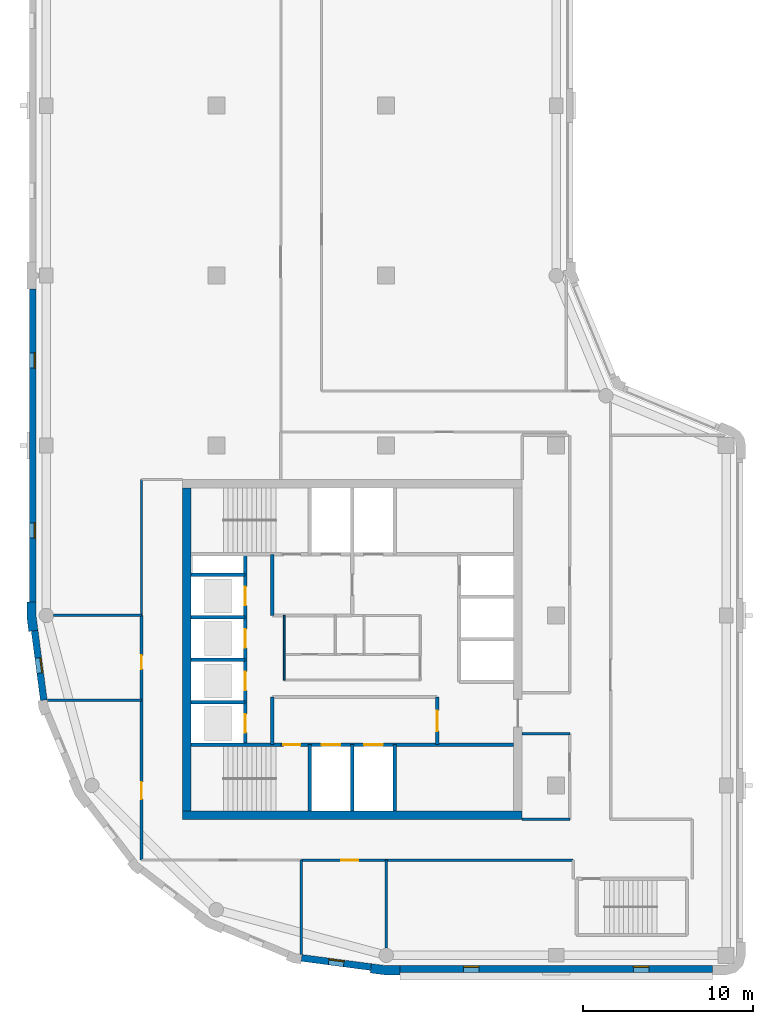
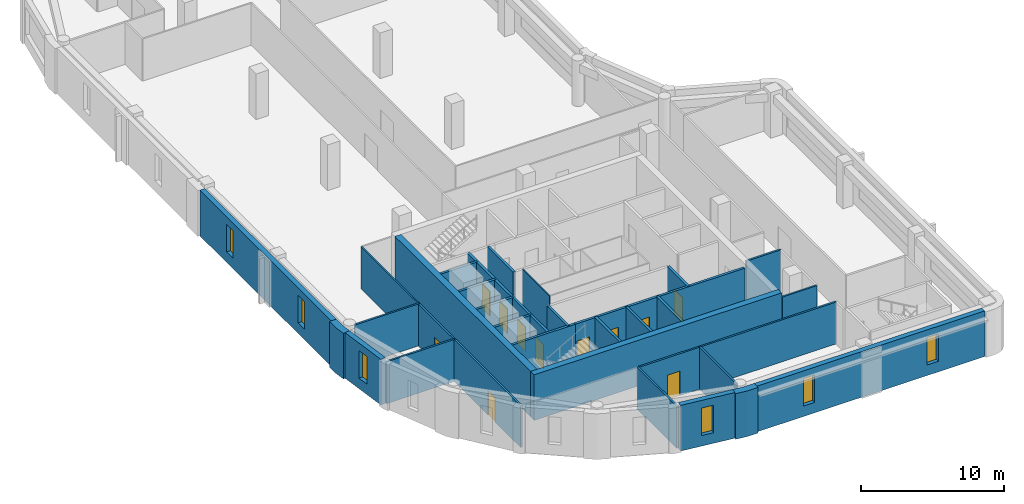
# One storey, part 2 of 8: 31 walls, 11 doors, 6 windows, 17 openings.
"""IFC4 building model written with IfcOpenShell, lengths in metres."""

from ifc_helpers import new_model, si_unit, direction, frame, frame_2d, origin, place, context, subcontext, project, spatial, polyline, rectangle, outline, extrude, material, layer, layer_set, type_object, element, fill, save


model = new_model("IFC4")

# Units and contexts
model_context = context("Model", 3, precision=1e-05, world=origin(), true_north=direction((0.0, 1.0)))
body_context = subcontext(model_context, "Body", "Model", "MODEL_VIEW")
ifc_project = project(units=[si_unit("LENGTHUNIT", "METRE"), si_unit("AREAUNIT", "SQUARE_METRE"), si_unit("VOLUMEUNIT", "CUBIC_METRE"), si_unit("PLANEANGLEUNIT", "RADIAN"), si_unit("MASSUNIT", "GRAM", prefix="KILO")], contexts=[model_context])

# Site, building, storey
site_placement = place(None, origin())
site = spatial("IfcSite", under=ifc_project, at=site_placement, CompositionType="ELEMENT")
building_placement = place(site_placement, origin())
building = spatial("IfcBuilding", under=site, at=building_placement, Name="Qaws Garden Tower", CompositionType="ELEMENT")
storey_placement = place(building_placement, frame((0.0, 0.0, 286.5)))
storey = spatial("IfcBuildingStorey", under=building, at=storey_placement, Name="L69", CompositionType="ELEMENT", Elevation=286.5)

# Wall, openings, windows
ifc_material_1 = material(Name="Clay facing brick masonry", Category="masonry")
ifc_layer_1 = layer(ifc_material_1, 0.39990234375)
ifc_layer_set_1 = layer_set([ifc_layer_1], Name="Clay facing brick masonry")
wall_type_1 = type_object("IfcWallType", Name="Brick infill wall 400", PredefinedType="SOLIDWALL", material=ifc_layer_set_1)
wall_1_placement = place(storey_placement, frame((20.800048828125, -0.800048828125, 0.0), z_axis=(0.0, 0.0, 1.0), x_axis=(1.0, 0.0, 0.0)))
wall_1 = element("IfcWall", 1, at=wall_1_placement, inside=storey, type_object=wall_type_1, Name="E-L69-infill-00", PredefinedType="SOLIDWALL", context=body_context, shape_type="SweptSolid", body=[
    extrude(rectangle(XDim=18.39990234375, YDim=0.39990234375, at=frame_2d((9.199951171875, 0.0))), origin(), (0.0, 0.0, 1.0), 3.89990234375),
])
opening_1_placement = place(wall_1_placement, frame((3.75, 0.0, 0.89990234375)))
opening_1 = element("IfcOpeningElement", 2, at=opening_1_placement, cuts=wall_1, Name="Opening W09", PredefinedType="OPENING", context=body_context, shape_type="SweptSolid", body=[
    extrude(rectangle(XDim=0.89990234375, YDim=2.35009765625, at=frame_2d((0.449951171875, 1.175048828125))), frame((0.0, 0.2099609375, 0.0), z_axis=(0.0, -1.0, 0.0), x_axis=(1.0, 0.0, 0.0)), (0.0, 0.0, 1.0), 0.419921875),
])
opening_2_placement = place(wall_1_placement, frame((13.75, 0.0, 0.89990234375)))
opening_2 = element("IfcOpeningElement", 3, at=opening_2_placement, cuts=wall_1, Name="Opening W09", PredefinedType="OPENING", context=body_context, shape_type="SweptSolid", body=[
    extrude(rectangle(XDim=0.89990234375, YDim=2.35009765625, at=frame_2d((0.449951171875, 1.175048828125))), frame((0.0, 0.2099609375, 0.0), z_axis=(0.0, -1.0, 0.0), x_axis=(1.0, 0.0, 0.0)), (0.0, 0.0, 1.0), 0.419921875),
])
ifc_material_2 = material(Name="Aluminium framed window, clear glazing", Category="aluminium")
window_type = type_object("IfcWindowType", Name="Slit window 900 x 2350", PartitioningType="SINGLE_PANEL", PredefinedType="WINDOW", material=ifc_material_2)
window_1_placement = place(opening_1_placement, origin())
window_1 = element("IfcWindow", 4, at=window_1_placement, inside=storey, type_object=window_type, Name="E-L69-window-00-0", OverallHeight=2.35009765625, OverallWidth=0.89990234375, PartitioningType="SINGLE_PANEL", PredefinedType="WINDOW", context=body_context, shape_type="SweptSolid", body=[
    extrude(rectangle(XDim=0.89990234375, YDim=2.35009765625, at=frame_2d((0.449951171875, 1.175048828125))), frame((0.0, 0.159912109375, 0.0), z_axis=(0.0, -1.0, 0.0), x_axis=(1.0, 0.0, 0.0)), (0.0, 0.0, 1.0), 0.06005859375),
])
fill(opening_1, window_1)
window_2_placement = place(opening_2_placement, origin())
window_2 = element("IfcWindow", 5, at=window_2_placement, inside=storey, type_object=window_type, Name="E-L69-window-01-0", OverallHeight=2.35009765625, OverallWidth=0.89990234375, PartitioningType="SINGLE_PANEL", PredefinedType="WINDOW", context=body_context, shape_type="SweptSolid", body=[
    extrude(rectangle(XDim=0.89990234375, YDim=2.35009765625, at=frame_2d((0.449951171875, 1.175048828125))), frame((0.0, 0.159912109375, 0.0), z_axis=(0.0, -1.0, 0.0), x_axis=(1.0, 0.0, 0.0)), (0.0, 0.0, 1.0), 0.06005859375),
])
fill(opening_2, window_2)

wall_2_placement = place(storey_placement, frame((-0.800048828125, 39.199951171875, 0.0), z_axis=(0.0, 0.0, 1.0), x_axis=(0.0, -1.0, 0.0)))
wall_2 = element("IfcWall", 6, at=wall_2_placement, inside=storey, type_object=wall_type_1, Name="E-L69-infill-19", PredefinedType="SOLIDWALL", context=body_context, shape_type="SweptSolid", body=[
    extrude(rectangle(XDim=18.39990234375, YDim=0.39990234375, at=frame_2d((9.199951171875, 0.0))), origin(), (0.0, 0.0, 1.0), 3.89990234375),
])
opening_3_placement = place(wall_2_placement, frame((3.75, 0.0, 0.89990234375)))
opening_3 = element("IfcOpeningElement", 7, at=opening_3_placement, cuts=wall_2, Name="Opening W09", PredefinedType="OPENING", context=body_context, shape_type="SweptSolid", body=[
    extrude(rectangle(XDim=0.89990234375, YDim=2.35009765625, at=frame_2d((0.449951171875, 1.175048828125))), frame((0.0, 0.2099609375, 0.0), z_axis=(0.0, -1.0, 0.0), x_axis=(1.0, 0.0, 0.0)), (0.0, 0.0, 1.0), 0.419921875),
])
opening_4_placement = place(wall_2_placement, frame((13.75, 0.0, 0.89990234375)))
opening_4 = element("IfcOpeningElement", 8, at=opening_4_placement, cuts=wall_2, Name="Opening W09", PredefinedType="OPENING", context=body_context, shape_type="SweptSolid", body=[
    extrude(rectangle(XDim=0.89990234375, YDim=2.35009765625, at=frame_2d((0.449951171875, 1.175048828125))), frame((0.0, 0.2099609375, 0.0), z_axis=(0.0, -1.0, 0.0), x_axis=(1.0, 0.0, 0.0)), (0.0, 0.0, 1.0), 0.419921875),
])
window_3_placement = place(opening_3_placement, origin())
window_3 = element("IfcWindow", 9, at=window_3_placement, inside=storey, type_object=window_type, Name="E-L69-window-19-0", OverallHeight=2.35009765625, OverallWidth=0.89990234375, PartitioningType="SINGLE_PANEL", PredefinedType="WINDOW", context=body_context, shape_type="SweptSolid", body=[
    extrude(rectangle(XDim=0.89990234375, YDim=2.35009765625, at=frame_2d((0.449951171875, 1.175048828125))), frame((0.0, 0.159912109375, 0.0), z_axis=(0.0, -1.0, 0.0), x_axis=(1.0, 0.0, 0.0)), (0.0, 0.0, 1.0), 0.06005859375),
])
fill(opening_3, window_3)
window_4_placement = place(opening_4_placement, origin())
window_4 = element("IfcWindow", 10, at=window_4_placement, inside=storey, type_object=window_type, Name="E-L69-window-20-0", OverallHeight=2.35009765625, OverallWidth=0.89990234375, PartitioningType="SINGLE_PANEL", PredefinedType="WINDOW", context=body_context, shape_type="SweptSolid", body=[
    extrude(rectangle(XDim=0.89990234375, YDim=2.35009765625, at=frame_2d((0.449951171875, 1.175048828125))), frame((0.0, 0.159912109375, 0.0), z_axis=(0.0, -1.0, 0.0), x_axis=(1.0, 0.0, 0.0)), (0.0, 0.0, 1.0), 0.06005859375),
])
fill(opening_4, window_4)

# Wall, opening, window
wall_3_placement = place(storey_placement, frame((-0.688720703125, 19.102294921875, 0.0), z_axis=(0.0, 0.0, 1.0), x_axis=(0.130514280502, -0.991446429508, 0.0)))
wall_3 = element("IfcWall", 11, at=wall_3_placement, inside=storey, type_object=wall_type_1, Name="E-L69-infill-21", PredefinedType="SOLIDWALL", context=body_context, shape_type="SweptSolid", body=[
    extrude(rectangle(XDim=4.120849609375, YDim=0.39990234375, at=frame_2d((2.060546875, 0.0))), origin(), (0.0, 0.0, 1.0), 3.89990234375),
])
opening_5_placement = place(wall_3_placement, frame((1.610595703125, 0.0, 0.89990234375)))
opening_5 = element("IfcOpeningElement", 12, at=opening_5_placement, cuts=wall_3, Name="Opening W09", PredefinedType="OPENING", context=body_context, shape_type="SweptSolid", body=[
    extrude(rectangle(XDim=0.89990234375, YDim=2.35009765625, at=frame_2d((0.449951171875, 1.175048828125))), frame((0.0, 0.2099609375, 0.0), z_axis=(0.0, -1.0, 0.0), x_axis=(1.0, 0.0, 0.0)), (0.0, 0.0, 1.0), 0.419921875),
])
window_5_placement = place(opening_5_placement, origin())
window_5 = element("IfcWindow", 13, at=window_5_placement, inside=storey, type_object=window_type, Name="E-L69-window-21-0", OverallHeight=2.35009765625, OverallWidth=0.89990234375, PartitioningType="SINGLE_PANEL", PredefinedType="WINDOW", context=body_context, shape_type="SweptSolid", body=[
    extrude(rectangle(XDim=0.89990234375, YDim=2.35009765625, at=frame_2d((0.449951171875, 1.175048828125))), frame((0.0, 0.159912109375, 0.0), z_axis=(0.0, -1.0, 0.0), x_axis=(1.0, 0.0, 0.0)), (0.0, 0.0, 1.0), 0.06005859375),
])
fill(opening_5, window_5)

wall_4_placement = place(storey_placement, frame((15.0166015625, -0.15087890625, 0.0), z_axis=(0.0, 0.0, 1.0), x_axis=(0.991446429508, -0.130514280502, 0.0)))
wall_4 = element("IfcWall", 14, at=wall_4_placement, inside=storey, type_object=wall_type_1, Name="E-L69-infill-26", PredefinedType="SOLIDWALL", context=body_context, shape_type="SweptSolid", body=[
    extrude(rectangle(XDim=4.120849609375, YDim=0.39990234375, at=frame_2d((2.060546875, 0.0))), origin(), (0.0, 0.0, 1.0), 3.89990234375),
])
opening_6_placement = place(wall_4_placement, frame((1.610595703125, 0.0, 0.89990234375)))
opening_6 = element("IfcOpeningElement", 15, at=opening_6_placement, cuts=wall_4, Name="Opening W09", PredefinedType="OPENING", context=body_context, shape_type="SweptSolid", body=[
    extrude(rectangle(XDim=0.89990234375, YDim=2.35009765625, at=frame_2d((0.449951171875, 1.175048828125))), frame((0.0, 0.2099609375, 0.0), z_axis=(0.0, -1.0, 0.0), x_axis=(1.0, 0.0, 0.0)), (0.0, 0.0, 1.0), 0.419921875),
])
window_6_placement = place(opening_6_placement, origin())
window_6 = element("IfcWindow", 16, at=window_6_placement, inside=storey, type_object=window_type, Name="E-L69-window-26-0", OverallHeight=2.35009765625, OverallWidth=0.89990234375, PartitioningType="SINGLE_PANEL", PredefinedType="WINDOW", context=body_context, shape_type="SweptSolid", body=[
    extrude(rectangle(XDim=0.89990234375, YDim=2.35009765625, at=frame_2d((0.449951171875, 1.175048828125))), frame((0.0, 0.159912109375, 0.0), z_axis=(0.0, -1.0, 0.0), x_axis=(1.0, 0.0, 0.0)), (0.0, 0.0, 1.0), 0.06005859375),
])
fill(opening_6, window_6)

# Walls
ifc_material_3 = material(Name="Clay facing brick masonry", Category="masonry")
ifc_layer_2 = layer(ifc_material_3, 0.550048828125)
ifc_layer_set_2 = layer_set([ifc_layer_2], Name="Clay facing brick masonry")
wall_type_2 = type_object("IfcWallType", Name="Brick pier 550 x 1600", PredefinedType="SOLIDWALL", material=ifc_layer_set_2)
placement = place(storey_placement, origin())
element("IfcWall", 17, at=placement, inside=storey, type_object=wall_type_2, Name="E-L69-pier-00", PredefinedType="SOLIDWALL", context=body_context, shape_type="SweptSolid", body=[
    extrude(outline(polyline([(19.076416015625, -0.886962890625), (19.056640625, -1.03564453125), (19.924560546875, -1.14990234375), (20.800048828125, -1.14990234375), (20.800048828125, -1.0), (20.800048828125, -0.60009765625), (19.960693359375, -0.60009765625), (19.12841796875, -0.490478515625), (19.076416015625, -0.886962890625)])), origin(), (0.0, 0.0, 1.0), 3.89990234375),
])
element("IfcWall", 18, at=placement, inside=storey, type_object=wall_type_2, Name="E-L69-pier-21", PredefinedType="SOLIDWALL", context=body_context, shape_type="SweptSolid", body=[
    extrude(outline(polyline([(-1.0, 20.800048828125), (-1.14990234375, 20.800048828125), (-1.14990234375, 19.924560546875), (-1.03564453125, 19.056640625), (-0.886962890625, 19.076416015625), (-0.490478515625, 19.12841796875), (-0.60009765625, 19.960693359375), (-0.60009765625, 20.800048828125), (-1.0, 20.800048828125)])), origin(), (0.0, 0.0, 1.0), 3.89990234375),
])
ifc_material_4 = material(Name="Plasterboard")
ifc_layer_3 = layer(ifc_material_4, 0.10009765625)
ifc_layer_set_3 = layer_set([ifc_layer_3], Name="Plasterboard")
wall_type_3 = type_object("IfcWallType", Name="Core partition 100", PredefinedType="PARTITIONING", material=ifc_layer_set_3)
wall_7_placement = place(storey_placement, frame((14.0, 16.199951171875, 0.0), z_axis=(0.0, 0.0, 1.0), x_axis=(0.0, 1.0, 0.0)))
element("IfcWall", 19, at=wall_7_placement, inside=storey, type_object=wall_type_3, Name="Core partition", PredefinedType="PARTITIONING", context=body_context, shape_type="SweptSolid", body=[
    extrude(rectangle(XDim=3.800048828125, YDim=0.10009765625, at=frame_2d((1.89990234375, 0.0))), origin(), (0.0, 0.0, 1.0), 3.580078125),
])
ifc_material_5 = material(Name="Concrete C60", Category="concrete")
ifc_layer_4 = layer(ifc_material_5, 0.199951171875)
ifc_layer_set_4 = layer_set([ifc_layer_4], Name="Concrete C60")
wall_type_4 = type_object("IfcWallType", Name="Core shaft wall 200 C60", PredefinedType="SHEAR", material=ifc_layer_set_4)
wall_8_placement = place(storey_placement, frame((8.5, 12.39990234375, 0.0), z_axis=(0.0, 0.0, 1.0), x_axis=(1.0, 0.0, 0.0)))
element("IfcWall", 20, at=wall_8_placement, inside=storey, type_object=wall_type_4, Name="Shaft wall", PredefinedType="SHEAR", context=body_context, shape_type="SweptSolid", body=[
    extrude(rectangle(XDim=5.300048828125, YDim=0.199951171875, at=frame_2d((2.64990234375, 0.0))), origin(), (0.0, 0.0, 1.0), 3.580078125),
])

# Wall, openings, doors
wall_9_placement = place(storey_placement, frame((13.800048828125, 12.39990234375, 0.0), z_axis=(0.0, 0.0, 1.0), x_axis=(1.0, 0.0, 0.0)))
wall_9 = element("IfcWall", 21, at=wall_9_placement, inside=storey, type_object=wall_type_4, Name="Shaft wall", PredefinedType="SHEAR", context=body_context, shape_type="SweptSolid", body=[
    extrude(rectangle(XDim=13.699951171875, YDim=0.199951171875, at=frame_2d((6.85009765625, 0.0))), origin(), (0.0, 0.0, 1.0), 3.580078125),
])
opening_7_placement = place(wall_9_placement, frame((2.39990234375, 0.0, 0.0)))
opening_7 = element("IfcOpeningElement", 22, at=opening_7_placement, cuts=wall_9, Name="Opening LD06", PredefinedType="OPENING", context=body_context, shape_type="SweptSolid", body=[
    extrude(rectangle(XDim=1.10009765625, YDim=2.10009765625, at=frame_2d((0.550048828125, 1.050048828125))), frame((0.0, 0.10986328125, 0.0), z_axis=(0.0, -1.0, 0.0), x_axis=(1.0, 0.0, 0.0)), (0.0, 0.0, 1.0), 0.219970703125),
])
opening_8_placement = place(wall_9_placement, frame((4.89990234375, 0.0, 0.0)))
opening_8 = element("IfcOpeningElement", 23, at=opening_8_placement, cuts=wall_9, Name="Opening LD07", PredefinedType="OPENING", context=body_context, shape_type="SweptSolid", body=[
    extrude(rectangle(XDim=1.10009765625, YDim=2.10009765625, at=frame_2d((0.550048828125, 1.050048828125))), frame((0.0, 0.10986328125, 0.0), z_axis=(0.0, -1.0, 0.0), x_axis=(1.0, 0.0, 0.0)), (0.0, 0.0, 1.0), 0.219970703125),
])
opening_9_placement = place(wall_9_placement, frame((0.14990234375, 0.0, 0.0)))
opening_9 = element("IfcOpeningElement", 24, at=opening_9_placement, cuts=wall_9, Name="Opening SD10", PredefinedType="OPENING", context=body_context, shape_type="SweptSolid", body=[
    extrude(rectangle(XDim=1.0, YDim=2.10009765625, at=frame_2d((0.5, 1.050048828125))), frame((0.0, 0.10986328125, 0.0), z_axis=(0.0, -1.0, 0.0), x_axis=(1.0, 0.0, 0.0)), (0.0, 0.0, 1.0), 0.219970703125),
])
ifc_material_6 = material(Name="Steel S235", Category="steel")
door_type_1 = type_object("IfcDoorType", Name="Landing door 1100x2100", OperationType="DOUBLE_DOOR_SLIDING", PredefinedType="DOOR", material=ifc_material_6)
door_1_placement = place(opening_7_placement, origin())
door_1 = element("IfcDoor", 25, at=door_1_placement, inside=storey, type_object=door_type_1, Name="Lift FF1 landing door", OperationType="DOUBLE_DOOR_SLIDING", OverallHeight=2.10009765625, OverallWidth=1.10009765625, PredefinedType="DOOR", context=body_context, shape_type="SweptSolid", body=[
    extrude(rectangle(XDim=1.10009765625, YDim=2.10009765625, at=frame_2d((0.550048828125, 1.050048828125))), frame((0.0, 0.02490234375, 0.0), z_axis=(0.0, -1.0, 0.0), x_axis=(1.0, 0.0, 0.0)), (0.0, 0.0, 1.0), 0.050048828125),
])
fill(opening_7, door_1)
door_2_placement = place(opening_8_placement, origin())
door_2 = element("IfcDoor", 26, at=door_2_placement, inside=storey, type_object=door_type_1, Name="Lift FF2 landing door", OperationType="DOUBLE_DOOR_SLIDING", OverallHeight=2.10009765625, OverallWidth=1.10009765625, PredefinedType="DOOR", context=body_context, shape_type="SweptSolid", body=[
    extrude(rectangle(XDim=1.10009765625, YDim=2.10009765625, at=frame_2d((0.550048828125, 1.050048828125))), frame((0.0, 0.02490234375, 0.0), z_axis=(0.0, -1.0, 0.0), x_axis=(1.0, 0.0, 0.0)), (0.0, 0.0, 1.0), 0.050048828125),
])
fill(opening_8, door_2)
ifc_material_7 = material(Name="Steel S235", Category="steel")
door_type_2 = type_object("IfcDoorType", Name="Stair door 1000x2100", OperationType="SINGLE_SWING_RIGHT", PredefinedType="DOOR", material=ifc_material_7)
door_3_placement = place(opening_9_placement, frame((1.0, 0.0, 0.0), z_axis=(0.0, 0.0, 1.0), x_axis=(-1.0, 0.0, 0.0)))
door_3 = element("IfcDoor", 27, at=door_3_placement, inside=storey, type_object=door_type_2, Name="Stair 1 door", OperationType="SINGLE_SWING_LEFT", OverallHeight=2.10009765625, OverallWidth=1.0, PredefinedType="DOOR", context=body_context, shape_type="SweptSolid", body=[
    extrude(rectangle(XDim=1.0, YDim=2.10009765625, at=frame_2d((0.5, 1.050048828125))), frame((0.0, 0.02490234375, 0.0), z_axis=(0.0, -1.0, 0.0), x_axis=(1.0, 0.0, 0.0)), (0.0, 0.0, 1.0), 0.050048828125),
])
fill(opening_9, door_3)

# Walls
for number, where, z_axis, x_axis, name in (
    (28, (8.5, 14.89990234375, 0.0), (0.0, 0.0, 1.0), (1.0, 0.0, 0.0), "Shaft wall"),
    (29, (8.5, 17.39990234375, 0.0), (0.0, 0.0, 1.0), (1.0, 0.0, 0.0), "Shaft wall"),
    (30, (8.5, 19.89990234375, 0.0), (0.0, 0.0, 1.0), (1.0, 0.0, 0.0), "Shaft wall"),
    (31, (8.5, 22.39990234375, 0.0), (0.0, 0.0, 1.0), (1.0, 0.0, 0.0), "Shaft wall"),
):
    element("IfcWall", number, at=place(storey_placement, frame(where, z_axis=z_axis, x_axis=x_axis)), inside=storey, type_object=wall_type_4, Name=name, PredefinedType="SHEAR", context=body_context, shape_type="SweptSolid", body=[
        extrude(rectangle(XDim=3.199951171875, YDim=0.199951171875, at=frame_2d((1.60009765625, 0.0))), origin(), (0.0, 0.0, 1.0), 3.580078125),
    ])

# Wall, openings, doors
wall_10_placement = place(storey_placement, frame((11.699951171875, 12.39990234375, 0.0), z_axis=(0.0, 0.0, 1.0), x_axis=(0.0, 1.0, 0.0)))
wall_10 = element("IfcWall", 32, at=wall_10_placement, inside=storey, type_object=wall_type_4, Name="Shaft wall", PredefinedType="SHEAR", context=body_context, shape_type="SweptSolid", body=[
    extrude(rectangle(XDim=11.2001953125, YDim=0.199951171875, at=frame_2d((5.60009765625, 0.0))), origin(), (0.0, 0.0, 1.0), 3.580078125),
])
opening_10_placement = place(wall_10_placement, frame((0.699951171875, 0.0, 0.0)))
opening_10 = element("IfcOpeningElement", 33, at=opening_10_placement, cuts=wall_10, Name="Opening LD01", PredefinedType="OPENING", context=body_context, shape_type="SweptSolid", body=[
    extrude(rectangle(XDim=1.10009765625, YDim=2.10009765625, at=frame_2d((0.550048828125, 1.050048828125))), frame((0.0, 0.10986328125, 0.0), z_axis=(0.0, -1.0, 0.0), x_axis=(1.0, 0.0, 0.0)), (0.0, 0.0, 1.0), 0.219970703125),
])
opening_11_placement = place(wall_10_placement, frame((3.199951171875, 0.0, 0.0)))
opening_11 = element("IfcOpeningElement", 34, at=opening_11_placement, cuts=wall_10, Name="Opening LD02", PredefinedType="OPENING", context=body_context, shape_type="SweptSolid", body=[
    extrude(rectangle(XDim=1.10009765625, YDim=2.10009765625, at=frame_2d((0.550048828125, 1.050048828125))), frame((0.0, 0.10986328125, 0.0), z_axis=(0.0, -1.0, 0.0), x_axis=(1.0, 0.0, 0.0)), (0.0, 0.0, 1.0), 0.219970703125),
])
opening_12_placement = place(wall_10_placement, frame((5.699951171875, 0.0, 0.0)))
opening_12 = element("IfcOpeningElement", 35, at=opening_12_placement, cuts=wall_10, Name="Opening LD03", PredefinedType="OPENING", context=body_context, shape_type="SweptSolid", body=[
    extrude(rectangle(XDim=1.10009765625, YDim=2.10009765625, at=frame_2d((0.550048828125, 1.050048828125))), frame((0.0, 0.10986328125, 0.0), z_axis=(0.0, -1.0, 0.0), x_axis=(1.0, 0.0, 0.0)), (0.0, 0.0, 1.0), 0.219970703125),
])
opening_13_placement = place(wall_10_placement, frame((8.199951171875, 0.0, 0.0)))
opening_13 = element("IfcOpeningElement", 36, at=opening_13_placement, cuts=wall_10, Name="Opening LD04", PredefinedType="OPENING", context=body_context, shape_type="SweptSolid", body=[
    extrude(rectangle(XDim=1.10009765625, YDim=2.10009765625, at=frame_2d((0.550048828125, 1.050048828125))), frame((0.0, 0.10986328125, 0.0), z_axis=(0.0, -1.0, 0.0), x_axis=(1.0, 0.0, 0.0)), (0.0, 0.0, 1.0), 0.219970703125),
])
door_4_placement = place(opening_10_placement, origin())
door_4 = element("IfcDoor", 37, at=door_4_placement, inside=storey, type_object=door_type_1, Name="Lift W1 landing door", OperationType="DOUBLE_DOOR_SLIDING", OverallHeight=2.10009765625, OverallWidth=1.10009765625, PredefinedType="DOOR", context=body_context, shape_type="SweptSolid", body=[
    extrude(rectangle(XDim=1.10009765625, YDim=2.10009765625, at=frame_2d((0.550048828125, 1.050048828125))), frame((0.0, 0.02490234375, 0.0), z_axis=(0.0, -1.0, 0.0), x_axis=(1.0, 0.0, 0.0)), (0.0, 0.0, 1.0), 0.050048828125),
])
fill(opening_10, door_4)
door_5_placement = place(opening_11_placement, origin())
door_5 = element("IfcDoor", 38, at=door_5_placement, inside=storey, type_object=door_type_1, Name="Lift W2 landing door", OperationType="DOUBLE_DOOR_SLIDING", OverallHeight=2.10009765625, OverallWidth=1.10009765625, PredefinedType="DOOR", context=body_context, shape_type="SweptSolid", body=[
    extrude(rectangle(XDim=1.10009765625, YDim=2.10009765625, at=frame_2d((0.550048828125, 1.050048828125))), frame((0.0, 0.02490234375, 0.0), z_axis=(0.0, -1.0, 0.0), x_axis=(1.0, 0.0, 0.0)), (0.0, 0.0, 1.0), 0.050048828125),
])
fill(opening_11, door_5)
door_6_placement = place(opening_12_placement, origin())
door_6 = element("IfcDoor", 39, at=door_6_placement, inside=storey, type_object=door_type_1, Name="Lift W3 landing door", OperationType="DOUBLE_DOOR_SLIDING", OverallHeight=2.10009765625, OverallWidth=1.10009765625, PredefinedType="DOOR", context=body_context, shape_type="SweptSolid", body=[
    extrude(rectangle(XDim=1.10009765625, YDim=2.10009765625, at=frame_2d((0.550048828125, 1.050048828125))), frame((0.0, 0.02490234375, 0.0), z_axis=(0.0, -1.0, 0.0), x_axis=(1.0, 0.0, 0.0)), (0.0, 0.0, 1.0), 0.050048828125),
])
fill(opening_12, door_6)
door_7_placement = place(opening_13_placement, origin())
door_7 = element("IfcDoor", 40, at=door_7_placement, inside=storey, type_object=door_type_1, Name="Lift W4 landing door", OperationType="DOUBLE_DOOR_SLIDING", OverallHeight=2.10009765625, OverallWidth=1.10009765625, PredefinedType="DOOR", context=body_context, shape_type="SweptSolid", body=[
    extrude(rectangle(XDim=1.10009765625, YDim=2.10009765625, at=frame_2d((0.550048828125, 1.050048828125))), frame((0.0, 0.02490234375, 0.0), z_axis=(0.0, -1.0, 0.0), x_axis=(1.0, 0.0, 0.0)), (0.0, 0.0, 1.0), 0.050048828125),
])
fill(opening_13, door_7)

# Walls
wall_11_placement = place(storey_placement, frame((13.300048828125, 12.39990234375, 0.0), z_axis=(0.0, 0.0, 1.0), x_axis=(0.0, 1.0, 0.0)))
element("IfcWall", 41, at=wall_11_placement, inside=storey, type_object=wall_type_4, Name="Shaft wall", PredefinedType="SHEAR", context=body_context, shape_type="SweptSolid", body=[
    extrude(rectangle(XDim=2.800048828125, YDim=0.199951171875, at=frame_2d((1.39990234375, 0.0))), origin(), (0.0, 0.0, 1.0), 3.580078125),
])
wall_12_placement = place(storey_placement, frame((13.300048828125, 20.0, 0.0), z_axis=(0.0, 0.0, 1.0), x_axis=(0.0, 1.0, 0.0)))
element("IfcWall", 42, at=wall_12_placement, inside=storey, type_object=wall_type_4, Name="Shaft wall", PredefinedType="SHEAR", context=body_context, shape_type="SweptSolid", body=[
    extrude(rectangle(XDim=3.60009765625, YDim=0.199951171875, at=frame_2d((1.800048828125, 0.0))), origin(), (0.0, 0.0, 1.0), 3.580078125),
])
for number, where, z_axis, x_axis, name in (
    (43, (15.5, 8.5, 0.0), (0.0, 0.0, 1.0), (0.0, 1.0, 0.0), "Shaft wall"),
    (44, (18.0, 8.5, 0.0), (0.0, 0.0, 1.0), (0.0, 1.0, 0.0), "Shaft wall"),
    (45, (20.5, 8.5, 0.0), (0.0, 0.0, 1.0), (0.0, 1.0, 0.0), "Shaft wall"),
):
    element("IfcWall", number, at=place(storey_placement, frame(where, z_axis=z_axis, x_axis=x_axis)), inside=storey, type_object=wall_type_4, Name=name, PredefinedType="SHEAR", context=body_context, shape_type="SweptSolid", body=[
        extrude(rectangle(XDim=3.89990234375, YDim=0.199951171875, at=frame_2d((1.949951171875, 0.0))), origin(), (0.0, 0.0, 1.0), 3.580078125),
    ])

# Wall, opening, door
wall_13_placement = place(storey_placement, frame((23.0, 12.39990234375, 0.0), z_axis=(0.0, 0.0, 1.0), x_axis=(0.0, 1.0, 0.0)))
wall_13 = element("IfcWall", 46, at=wall_13_placement, inside=storey, type_object=wall_type_4, Name="Shaft wall", PredefinedType="SHEAR", context=body_context, shape_type="SweptSolid", body=[
    extrude(rectangle(XDim=2.800048828125, YDim=0.199951171875, at=frame_2d((1.39990234375, 0.0))), origin(), (0.0, 0.0, 1.0), 3.580078125),
])
opening_14_placement = place(wall_13_placement, frame((0.800048828125, 0.0, 0.0)))
opening_14 = element("IfcOpeningElement", 47, at=opening_14_placement, cuts=wall_13, Name="Opening FD15", PredefinedType="OPENING", context=body_context, shape_type="SweptSolid", body=[
    extrude(rectangle(XDim=1.199951171875, YDim=2.10009765625, at=frame_2d((0.60009765625, 1.050048828125))), frame((0.0, 0.10986328125, 0.0), z_axis=(0.0, -1.0, 0.0), x_axis=(1.0, 0.0, 0.0)), (0.0, 0.0, 1.0), 0.219970703125),
])
ifc_material_8 = material(Name="Steel S235", Category="steel")
door_type_3 = type_object("IfcDoorType", Name="Lobby door 1200x2100", OperationType="DOUBLE_DOOR_SINGLE_SWING", PredefinedType="DOOR", material=ifc_material_8)
door_8_placement = place(opening_14_placement, origin())
door_8 = element("IfcDoor", 48, at=door_8_placement, inside=storey, type_object=door_type_3, Name="Fire-fighting lobby door", OperationType="DOUBLE_DOOR_SINGLE_SWING", OverallHeight=2.10009765625, OverallWidth=1.199951171875, PredefinedType="DOOR", context=body_context, shape_type="SweptSolid", body=[
    extrude(rectangle(XDim=1.199951171875, YDim=2.10009765625, at=frame_2d((0.60009765625, 1.050048828125))), frame((0.0, 0.02490234375, 0.0), z_axis=(0.0, -1.0, 0.0), x_axis=(1.0, 0.0, 0.0)), (0.0, 0.0, 1.0), 0.050048828125),
])
fill(opening_14, door_8)

# Walls
ifc_material_9 = material(Name="Concrete C60", Category="concrete")
ifc_layer_5 = layer(ifc_material_9, 0.5)
ifc_layer_set_5 = layer_set([ifc_layer_5], Name="Concrete C60")
wall_type_5 = type_object("IfcWallType", Name="Core wall 500 C60", PredefinedType="SHEAR", material=ifc_layer_set_5)
wall_14_placement = place(storey_placement, frame((8.0, 8.25, 0.0), z_axis=(0.0, 0.0, 1.0), x_axis=(1.0, 0.0, 0.0)))
element("IfcWall", 49, at=wall_14_placement, inside=storey, type_object=wall_type_5, Name="Core wall L69 south", PredefinedType="SHEAR", context=body_context, shape_type="SweptSolid", body=[
    extrude(rectangle(XDim=20.0, YDim=0.5, at=frame_2d((10.0, 0.0))), origin(), (0.0, 0.0, 1.0), 3.89990234375),
])
wall_15_placement = place(storey_placement, frame((8.25, 27.5, 0.0), z_axis=(0.0, 0.0, 1.0), x_axis=(0.0, -1.0, 0.0)))
element("IfcWall", 50, at=wall_15_placement, inside=storey, type_object=wall_type_5, Name="Core wall L69 west", PredefinedType="SHEAR", context=body_context, shape_type="SweptSolid", body=[
    extrude(rectangle(XDim=19.0, YDim=0.5, at=frame_2d((9.5, 0.0))), origin(), (0.0, 0.0, 1.0), 3.89990234375),
])
ifc_material_10 = material(Name="Glass and aluminium framing", Category="aluminium")
ifc_layer_6 = layer(ifc_material_10, 0.1201171875)
ifc_layer_set_6 = layer_set([ifc_layer_6], Name="Glass and aluminium framing")
wall_type_6 = type_object("IfcWallType", Name="GLAZED PARTITION 120 EI 30", PredefinedType="PARTITIONING", material=ifc_layer_set_6)
wall_16_placement = place(storey_placement, frame((5.60009765625, 20.0, 0.0), z_axis=(0.0, 0.0, 1.0), x_axis=(0.0, 1.0, 0.0)))
element("IfcWall", 51, at=wall_16_placement, inside=storey, type_object=wall_type_6, Name="O-L69-wall-028", PredefinedType="PARTITIONING", context=body_context, shape_type="SweptSolid", body=[
    extrude(rectangle(XDim=8.0, YDim=0.1201171875, at=frame_2d((4.0, 0.0))), origin(), (0.0, 0.0, 1.0), 3.580078125),
])

# Wall, openings, doors
ifc_material_11 = material(Name="Gypsum board partition")
ifc_layer_7 = layer(ifc_material_11, 0.14990234375)
ifc_layer_set_7 = layer_set([ifc_layer_7], Name="Gypsum board partition")
wall_type_7 = type_object("IfcWallType", Name="PARTITION 150 EI 60", PredefinedType="PARTITIONING", material=ifc_layer_set_7)
wall_17_placement = place(storey_placement, frame((5.60009765625, 5.60009765625, 0.0), z_axis=(0.0, 0.0, 1.0), x_axis=(0.0, 1.0, 0.0)))
wall_17 = element("IfcWall", 52, at=wall_17_placement, inside=storey, type_object=wall_type_7, Name="O-L69-wall-001", PredefinedType="PARTITIONING", context=body_context, shape_type="SweptSolid", body=[
    extrude(rectangle(XDim=14.39990234375, YDim=0.14990234375, at=frame_2d((7.199951171875, 0.0))), origin(), (0.0, 0.0, 1.0), 3.580078125),
])
opening_15_placement = place(wall_17_placement, frame((3.60009765625, 0.0, 0.0)))
opening_15 = element("IfcOpeningElement", 53, at=opening_15_placement, cuts=wall_17, Name="Opening C4B01", PredefinedType="OPENING", context=body_context, shape_type="SweptSolid", body=[
    extrude(rectangle(XDim=1.0, YDim=2.10009765625, at=frame_2d((0.5, 1.050048828125))), frame((0.0, 0.0849609375, 0.0), z_axis=(0.0, -1.0, 0.0), x_axis=(1.0, 0.0, 0.0)), (0.0, 0.0, 1.0), 0.169921875),
])
opening_16_placement = place(wall_17_placement, frame((11.25, 0.0, 0.0)))
opening_16 = element("IfcOpeningElement", 54, at=opening_16_placement, cuts=wall_17, Name="Opening C4B02", PredefinedType="OPENING", context=body_context, shape_type="SweptSolid", body=[
    extrude(rectangle(XDim=0.800048828125, YDim=2.10009765625, at=frame_2d((0.39990234375, 1.050048828125))), frame((0.0, 0.0849609375, 0.0), z_axis=(0.0, -1.0, 0.0), x_axis=(1.0, 0.0, 0.0)), (0.0, 0.0, 1.0), 0.169921875),
])
ifc_material_12 = material(Name="Timber door leaf", Category="wood")
door_type_4 = type_object("IfcDoorType", Name="STORE DOOR 800 X 2100", OperationType="SINGLE_SWING_LEFT", PredefinedType="DOOR", material=ifc_material_12)
door_9_placement = place(opening_16_placement, origin())
door_9 = element("IfcDoor", 55, at=door_9_placement, inside=storey, type_object=door_type_4, Name="O-L69-door-002", OperationType="SINGLE_SWING_RIGHT", OverallHeight=2.10009765625, OverallWidth=0.800048828125, PredefinedType="DOOR", context=body_context, shape_type="SweptSolid", body=[
    extrude(rectangle(XDim=0.800048828125, YDim=2.10009765625, at=frame_2d((0.39990234375, 1.050048828125))), frame((0.0, 0.02490234375, 0.0), z_axis=(0.0, -1.0, 0.0), x_axis=(1.0, 0.0, 0.0)), (0.0, 0.0, 1.0), 0.050048828125),
])
fill(opening_16, door_9)
ifc_material_13 = material(Name="Timber door leaf", Category="wood")
door_type_5 = type_object("IfcDoorType", Name="TENANCY ENTRANCE DOOR 1000 X 2100", OperationType="SINGLE_SWING_LEFT", PredefinedType="DOOR", material=ifc_material_13)
door_10_placement = place(opening_15_placement, origin())
door_10 = element("IfcDoor", 56, at=door_10_placement, inside=storey, type_object=door_type_5, Name="O-L69-door-001", OperationType="SINGLE_SWING_RIGHT", OverallHeight=2.10009765625, OverallWidth=1.0, PredefinedType="DOOR", context=body_context, shape_type="SweptSolid", body=[
    extrude(rectangle(XDim=1.0, YDim=2.10009765625, at=frame_2d((0.5, 1.050048828125))), frame((0.0, 0.02490234375, 0.0), z_axis=(0.0, -1.0, 0.0), x_axis=(1.0, 0.0, 0.0)), (0.0, 0.0, 1.0), 0.050048828125),
])
fill(opening_15, door_10)

# Walls
wall_18_placement = place(storey_placement, frame((15.0, 0.06298828125, 0.0), z_axis=(0.0, 0.0, 1.0), x_axis=(0.0, 1.0, 0.0)))
element("IfcWall", 57, at=wall_18_placement, inside=storey, type_object=wall_type_7, Name="O-L69-wall-003", PredefinedType="PARTITIONING", context=body_context, shape_type="SweptSolid", body=[
    extrude(rectangle(XDim=5.537109375, YDim=0.14990234375, at=frame_2d((2.7685546875, 0.0))), origin(), (0.0, 0.0, 1.0), 3.580078125),
])
wall_19_placement = place(storey_placement, frame((20.0, 0.425048828125, 0.0), z_axis=(0.0, 0.0, 1.0), x_axis=(0.0, 1.0, 0.0)))
element("IfcWall", 58, at=wall_19_placement, inside=storey, type_object=wall_type_7, Name="O-L69-wall-005", PredefinedType="PARTITIONING", context=body_context, shape_type="SweptSolid", body=[
    extrude(rectangle(XDim=5.175048828125, YDim=0.14990234375, at=frame_2d((2.58740234375, 0.0))), origin(), (0.0, 0.0, 1.0), 3.580078125),
])

# Wall, opening, door
wall_20_placement = place(storey_placement, frame((15.0, 5.60009765625, 0.0), z_axis=(0.0, 0.0, 1.0), x_axis=(1.0, 0.0, 0.0)))
wall_20 = element("IfcWall", 59, at=wall_20_placement, inside=storey, type_object=wall_type_7, Name="O-L69-wall-014", PredefinedType="PARTITIONING", context=body_context, shape_type="SweptSolid", body=[
    extrude(rectangle(XDim=16.0, YDim=0.14990234375, at=frame_2d((8.0, 0.0))), origin(), (0.0, 0.0, 1.0), 3.580078125),
])
opening_17_placement = place(wall_20_placement, frame((2.35009765625, 0.0, 0.0)))
opening_17 = element("IfcOpeningElement", 60, at=opening_17_placement, cuts=wall_20, Name="Opening C4B07", PredefinedType="OPENING", context=body_context, shape_type="SweptSolid", body=[
    extrude(rectangle(XDim=1.0, YDim=2.10009765625, at=frame_2d((0.5, 1.050048828125))), frame((0.0, 0.0849609375, 0.0), z_axis=(0.0, -1.0, 0.0), x_axis=(1.0, 0.0, 0.0)), (0.0, 0.0, 1.0), 0.169921875),
])
door_11_placement = place(opening_17_placement, frame((1.0, 0.0, 0.0), z_axis=(0.0, 0.0, 1.0), x_axis=(-1.0, 0.0, 0.0)))
door_11 = element("IfcDoor", 61, at=door_11_placement, inside=storey, type_object=door_type_5, Name="O-L69-door-007", OperationType="SINGLE_SWING_LEFT", OverallHeight=2.10009765625, OverallWidth=1.0, PredefinedType="DOOR", context=body_context, shape_type="SweptSolid", body=[
    extrude(rectangle(XDim=1.0, YDim=2.10009765625, at=frame_2d((0.5, 1.050048828125))), frame((0.0, 0.02490234375, 0.0), z_axis=(0.0, -1.0, 0.0), x_axis=(1.0, 0.0, 0.0)), (0.0, 0.0, 1.0), 0.050048828125),
])
fill(opening_17, door_11)

# Walls
for number, where, z_axis, x_axis, name in (
    (62, (28.0, 8.0, 0.0), (0.0, 0.0, 1.0), (1.0, 0.0, 0.0), "O-L69-wall-015"),
    (63, (28.0, 13.050048828125, 0.0), (0.0, 0.0, 1.0), (1.0, 0.0, 0.0), "O-L69-wall-017"),
):
    element("IfcWall", number, at=place(storey_placement, frame(where, z_axis=z_axis, x_axis=x_axis)), inside=storey, type_object=wall_type_7, Name=name, PredefinedType="PARTITIONING", context=body_context, shape_type="SweptSolid", body=[
        extrude(rectangle(XDim=2.800048828125, YDim=0.14990234375, at=frame_2d((1.39990234375, 0.0))), origin(), (0.0, 0.0, 1.0), 3.580078125),
    ])
wall_21_placement = place(storey_placement, frame((0.06298828125, 15.0, 0.0), z_axis=(0.0, 0.0, 1.0), x_axis=(1.0, 0.0, 0.0)))
element("IfcWall", 64, at=wall_21_placement, inside=storey, type_object=wall_type_7, Name="O-L69-wall-018", PredefinedType="PARTITIONING", context=body_context, shape_type="SweptSolid", body=[
    extrude(rectangle(XDim=5.537109375, YDim=0.14990234375, at=frame_2d((2.7685546875, 0.0))), origin(), (0.0, 0.0, 1.0), 3.580078125),
])
wall_22_placement = place(storey_placement, frame((0.425048828125, 20.0, 0.0), z_axis=(0.0, 0.0, 1.0), x_axis=(1.0, 0.0, 0.0)))
element("IfcWall", 65, at=wall_22_placement, inside=storey, type_object=wall_type_7, Name="O-L69-wall-020", PredefinedType="PARTITIONING", context=body_context, shape_type="SweptSolid", body=[
    extrude(rectangle(XDim=5.175048828125, YDim=0.14990234375, at=frame_2d((2.58740234375, 0.0))), origin(), (0.0, 0.0, 1.0), 3.580078125),
])

save(model, "model.ifc")
